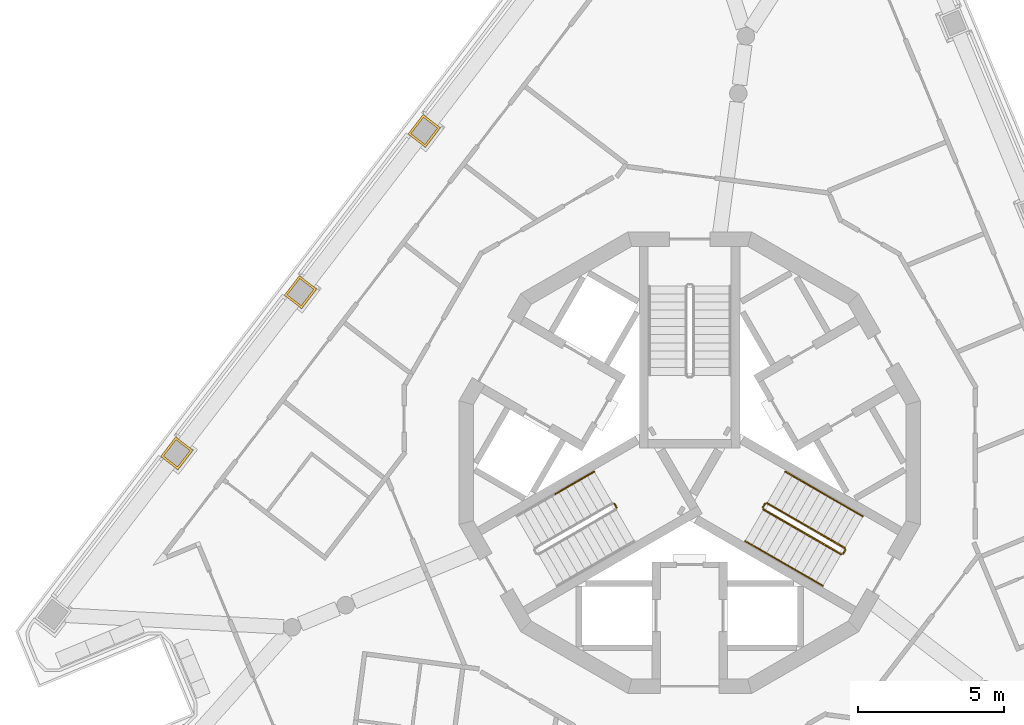
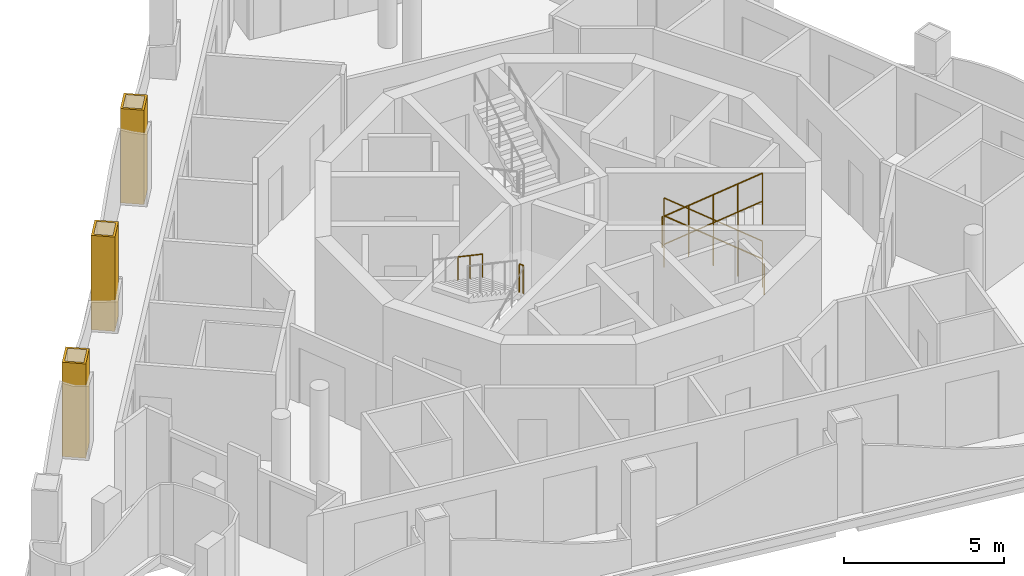
# One storey, part 8 of 12: 10 railings, 3 coverings.
"""IFC4 building model written with IfcOpenShell, lengths in metres."""

from ifc_helpers import new_model, si_unit, direction, frame, origin, origin_2d, place, context, subcontext, project, spatial, polyline, circle, outline, extrude, material, layer, layer_set, type_object, element, save


model = new_model("IFC4")

# Units and contexts
model_context = context("Model", 3, precision=1e-05, world=origin(), true_north=direction((0.0, 1.0)))
body_context = subcontext(model_context, "Body", "Model", "MODEL_VIEW")
ifc_project = project(units=[si_unit("LENGTHUNIT", "METRE"), si_unit("AREAUNIT", "SQUARE_METRE"), si_unit("VOLUMEUNIT", "CUBIC_METRE"), si_unit("PLANEANGLEUNIT", "RADIAN"), si_unit("MASSUNIT", "GRAM", prefix="KILO")], contexts=[model_context])

# Site, building, storey
site_placement = place(None, origin())
site = spatial("IfcSite", under=ifc_project, at=site_placement, CompositionType="ELEMENT")
building_placement = place(site_placement, origin())
building = spatial("IfcBuilding", under=site, at=building_placement, Name="Trine Commons Tower", CompositionType="ELEMENT")
storey_placement = place(building_placement, frame((0.0, 0.0, 275.39990234375)))
storey = spatial("IfcBuildingStorey", under=building, at=storey_placement, Name="L72", CompositionType="ELEMENT", Elevation=275.39990234375)

# Coverings
ifc_material_1 = material(Name="Limestone, honed", Category="masonry")
ifc_layer = layer(ifc_material_1, 0.074951171875)
ifc_layer_set = layer_set([ifc_layer], Name="Limestone, honed")
covering_type = type_object("IfcCoveringType", Name="Limestone column cladding 75", PredefinedType="CLADDING", material=ifc_layer_set)
covering_1_placement = place(storey_placement, origin())
element("IfcCovering", 1, at=covering_1_placement, inside=storey, type_object=covering_type, Name="Limestone pier cladding 8-08", PredefinedType="CLADDING", context=body_context, shape_type="SweptSolid", body=[
    extrude(outline(polyline([(62.95751953125, 62.929443359375), (62.362548828125, 63.385986328125), (61.84521484375, 62.711669921875), (62.440185546875, 62.2548828125), (62.95751953125, 62.929443359375)]), holes=[polyline([(62.8525390625, 62.91552734375), (62.37646484375, 63.28076171875), (61.9501953125, 62.7255859375), (62.42626953125, 62.360107421875), (62.8525390625, 62.91552734375)])]), origin(), (0.0, 0.0, 1.0), 3.60009765625),
])
covering_2_placement = place(storey_placement, origin())
element("IfcCovering", 2, at=covering_2_placement, inside=storey, type_object=covering_type, Name="Limestone pier cladding 8-09", PredefinedType="CLADDING", context=body_context, shape_type="SweptSolid", body=[
    extrude(outline(polyline([(67.202392578125, 68.461181640625), (66.607421875, 68.91796875), (66.08984375, 68.243408203125), (66.684814453125, 67.786865234375), (67.202392578125, 68.461181640625)]), holes=[polyline([(67.09716796875, 68.447509765625), (66.62109375, 68.812744140625), (66.195068359375, 68.25732421875), (66.6708984375, 67.89208984375), (67.09716796875, 68.447509765625)])]), origin(), (0.0, 0.0, 1.0), 3.60009765625),
])
covering_3_placement = place(storey_placement, origin())
element("IfcCovering", 3, at=covering_3_placement, inside=storey, type_object=covering_type, Name="Limestone pier cladding 8-10", PredefinedType="CLADDING", context=body_context, shape_type="SweptSolid", body=[
    extrude(outline(polyline([(71.447021484375, 73.9931640625), (70.85205078125, 74.44970703125), (70.334716796875, 73.775390625), (70.9296875, 73.318603515625), (71.447021484375, 73.9931640625)]), holes=[polyline([(71.341796875, 73.979248046875), (70.865966796875, 74.344482421875), (70.439697265625, 73.789306640625), (70.915771484375, 73.423828125), (71.341796875, 73.979248046875)])]), origin(), (0.0, 0.0, 1.0), 3.60009765625),
])

# Railings
ifc_material_2 = material(Name="Stainless steel balustrade", Category="steel")
railing_type_1 = type_object("IfcRailingType", Name="Stair guard, steel balustrade 1100", PredefinedType="GUARDRAIL", material=ifc_material_2)
railing_1_placement = place(storey_placement, frame((77.490966796875, 60.96484375, 1.800048828125)))
element("IfcRailing", 4, at=railing_1_placement, inside=storey, type_object=railing_type_1, Name="L72 ST2D stair guard 2", PredefinedType="GUARDRAIL", context=body_context, shape_type="SweptSolid", body=[
    extrude(circle(Radius=0.02392578125, at=origin_2d()), frame((0.0, 0.0, 1.076171875), z_axis=(-0.501036270542, 0.865426285481, 0.0), x_axis=(-0.865426285481, -0.501036270542, 0.0)), (0.0, 0.0, 1.0), 0.150146484375),
    extrude(circle(Radius=0.02099609375, at=origin_2d()), origin(), (0.0, 0.0, 1.0), 1.052001953125),
    extrude(circle(Radius=0.02099609375, at=origin_2d()), frame((-0.0751953125, 0.1298828125, 0.0)), (0.0, 0.0, 1.0), 1.052001953125),
])
railing_2_placement = place(storey_placement, frame((85.31982421875, 59.572998046875, 0.150146484375)))
element("IfcRailing", 5, at=railing_2_placement, inside=storey, type_object=railing_type_1, Name="L72 ST3D stair guard 1", PredefinedType="GUARDRAIL", context=body_context, shape_type="SweptSolid", body=[
    extrude(circle(Radius=0.02392578125, at=origin_2d()), frame((0.0, 0.0, 1.076171875), z_axis=(-0.76340495495, 0.440743040072, 0.472184759798), x_axis=(-0.499992328818, -0.866029832698, 0.0)), (0.0, 0.0, 1.0), 3.494140625),
    extrude(circle(Radius=0.02099609375, at=origin_2d()), origin(), (0.0, 0.0, 1.0), 1.052001953125),
    extrude(circle(Radius=0.02099609375, at=origin_2d()), frame((-0.6669921875, 0.385009765625, 0.41259765625)), (0.0, 0.0, 1.0), 1.052001953125),
    extrude(circle(Radius=0.02099609375, at=origin_2d()), frame((-1.333740234375, 0.77001953125, 0.824951171875)), (0.0, 0.0, 1.0), 1.052001953125),
    extrude(circle(Radius=0.02099609375, at=origin_2d()), frame((-2.00048828125, 1.155029296875, 1.2373046875)), (0.0, 0.0, 1.0), 1.052001953125),
    extrude(circle(Radius=0.02099609375, at=origin_2d()), frame((-2.66748046875, 1.5400390625, 1.64990234375)), (0.0, 0.0, 1.0), 1.052001953125),
])
railing_3_placement = place(storey_placement, frame((82.584228515625, 61.0947265625, 1.800048828125)))
element("IfcRailing", 6, at=railing_3_placement, inside=storey, type_object=railing_type_1, Name="L72 ST3D stair guard 2", PredefinedType="GUARDRAIL", context=body_context, shape_type="SweptSolid", body=[
    extrude(circle(Radius=0.02392578125, at=origin_2d()), frame((0.0, 0.0, 1.076171875), z_axis=(-0.501036270542, -0.865426285481, 0.0), x_axis=(0.865426285481, -0.501036270542, 0.0)), (0.0, 0.0, 1.0), 0.150146484375),
    extrude(circle(Radius=0.02099609375, at=origin_2d()), origin(), (0.0, 0.0, 1.0), 1.052001953125),
    extrude(circle(Radius=0.02099609375, at=origin_2d()), frame((-0.0751953125, -0.1298828125, 0.0)), (0.0, 0.0, 1.0), 1.052001953125),
])
railing_4_placement = place(storey_placement, frame((82.52734375, 60.896484375, 1.9501953125)))
element("IfcRailing", 7, at=railing_4_placement, inside=storey, type_object=railing_type_1, Name="L72 ST3D stair guard 3", PredefinedType="GUARDRAIL", context=body_context, shape_type="SweptSolid", body=[
    extrude(circle(Radius=0.02392578125, at=origin_2d()), frame((0.0, 0.0, 1.076171875), z_axis=(0.76340495495, -0.440743040072, 0.472184759798), x_axis=(0.499992328818, 0.866029832698, 0.0)), (0.0, 0.0, 1.0), 3.494140625),
    extrude(circle(Radius=0.02099609375, at=origin_2d()), origin(), (0.0, 0.0, 1.0), 1.052001953125),
    extrude(circle(Radius=0.02099609375, at=origin_2d()), frame((0.6669921875, -0.385009765625, 0.41259765625)), (0.0, 0.0, 1.0), 1.052001953125),
    extrude(circle(Radius=0.02099609375, at=origin_2d()), frame((1.333740234375, -0.77001953125, 0.824951171875)), (0.0, 0.0, 1.0), 1.052001953125),
    extrude(circle(Radius=0.02099609375, at=origin_2d()), frame((2.00048828125, -1.155029296875, 1.2373046875)), (0.0, 0.0, 1.0), 1.052001953125),
    extrude(circle(Radius=0.02099609375, at=origin_2d()), frame((2.66748046875, -1.5400390625, 1.64990234375)), (0.0, 0.0, 1.0), 1.052001953125),
])
railing_5_placement = place(storey_placement, frame((85.338134765625, 59.504638671875, 0.0)))
element("IfcRailing", 8, at=railing_5_placement, inside=storey, type_object=railing_type_1, Name="L72 ST3D stair guard 4", PredefinedType="GUARDRAIL", context=body_context, shape_type="SweptSolid", body=[
    extrude(circle(Radius=0.02392578125, at=origin_2d()), frame((0.0, 0.0, 1.076171875), z_axis=(-0.499816412211, -0.866131372301, 0.0), x_axis=(0.866131372301, -0.499816412211, 0.0)), (0.0, 0.0, 1.0), 0.14990234375),
    extrude(circle(Radius=0.02099609375, at=origin_2d()), origin(), (0.0, 0.0, 1.0), 1.052001953125),
    extrude(circle(Radius=0.02099609375, at=origin_2d()), frame((-0.074951171875, -0.1298828125, 0.0)), (0.0, 0.0, 1.0), 1.052001953125),
])
ifc_material_3 = material(Name="Stainless steel handrail", Category="steel")
railing_type_2 = type_object("IfcRailingType", Name="Stair handrail, steel 900", PredefinedType="HANDRAIL", material=ifc_material_3)
railing_6_placement = place(storey_placement, frame((76.72265625, 62.195556640625, 1.9501953125)))
element("IfcRailing", 9, at=railing_6_placement, inside=storey, type_object=railing_type_2, Name="L72 ST2D stair handrail 3", PredefinedType="HANDRAIL", context=body_context, shape_type="SweptSolid", body=[
    extrude(circle(Radius=0.02099609375, at=origin_2d()), frame((0.0, 0.0, 0.87890625), z_axis=(-0.76340495495, -0.440743040072, 0.472184759798), x_axis=(0.499992328818, -0.866029832698, 0.0)), (0.0, 0.0, 1.0), 1.7470703125),
    extrude(circle(Radius=0.01513671875, at=origin_2d()), origin(), (0.0, 0.0, 1.0), 0.85791015625),
    extrude(circle(Radius=0.01513671875, at=origin_2d()), frame((-0.6669921875, -0.385009765625, 0.41259765625)), (0.0, 0.0, 1.0), 0.85791015625),
    extrude(circle(Radius=0.01513671875, at=origin_2d()), frame((-1.333740234375, -0.77001953125, 0.824951171875)), (0.0, 0.0, 1.0), 0.85791015625),
])
for number, where, name in (
    (10, (85.94482421875, 60.655517578125, 0.150146484375), "L72 ST3D stair handrail 1"),
    (11, (84.611083984375, 61.425537109375, 0.97509765625), "L72 ST3D stair handrail 2"),
):
    element("IfcRailing", number, at=place(storey_placement, frame(where)), inside=storey, type_object=railing_type_2, Name=name, PredefinedType="HANDRAIL", context=body_context, shape_type="SweptSolid", body=[
        extrude(circle(Radius=0.02099609375, at=origin_2d()), frame((0.0, 0.0, 0.87890625), z_axis=(-0.76340495495, 0.440743040072, 0.472184759798), x_axis=(-0.499992328818, -0.866029832698, 0.0)), (0.0, 0.0, 1.0), 1.7470703125),
        extrude(circle(Radius=0.01513671875, at=origin_2d()), origin(), (0.0, 0.0, 1.0), 0.85791015625),
        extrude(circle(Radius=0.01513671875, at=origin_2d()), frame((-0.6669921875, 0.385009765625, 0.41259765625)), (0.0, 0.0, 1.0), 0.85791015625),
        extrude(circle(Radius=0.01513671875, at=origin_2d()), frame((-1.333740234375, 0.77001953125, 0.824951171875)), (0.0, 0.0, 1.0), 0.85791015625),
    ])
for number, where, name in (
    (12, (81.90234375, 59.81396484375, 1.9501953125), "L72 ST3D stair handrail 3"),
    (13, (83.236083984375, 59.0439453125, 2.775146484375), "L72 ST3D stair handrail 4"),
):
    element("IfcRailing", number, at=place(storey_placement, frame(where)), inside=storey, type_object=railing_type_2, Name=name, PredefinedType="HANDRAIL", context=body_context, shape_type="SweptSolid", body=[
        extrude(circle(Radius=0.02099609375, at=origin_2d()), frame((0.0, 0.0, 0.87890625), z_axis=(0.76340495495, -0.440743040072, 0.472184759798), x_axis=(0.499992328818, 0.866029832698, 0.0)), (0.0, 0.0, 1.0), 1.7470703125),
        extrude(circle(Radius=0.01513671875, at=origin_2d()), origin(), (0.0, 0.0, 1.0), 0.85791015625),
        extrude(circle(Radius=0.01513671875, at=origin_2d()), frame((0.6669921875, -0.385009765625, 0.41259765625)), (0.0, 0.0, 1.0), 0.85791015625),
        extrude(circle(Radius=0.01513671875, at=origin_2d()), frame((1.333740234375, -0.77001953125, 0.824951171875)), (0.0, 0.0, 1.0), 0.85791015625),
    ])

save(model, "model.ifc")
